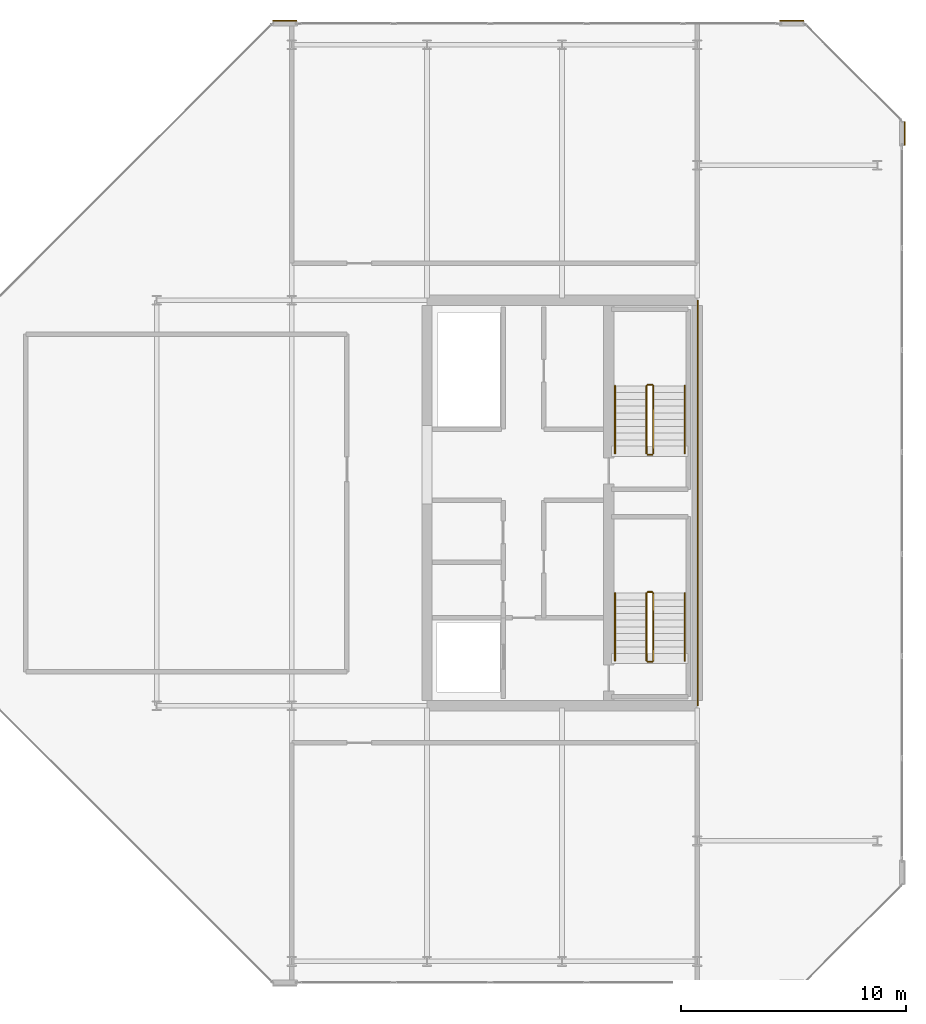
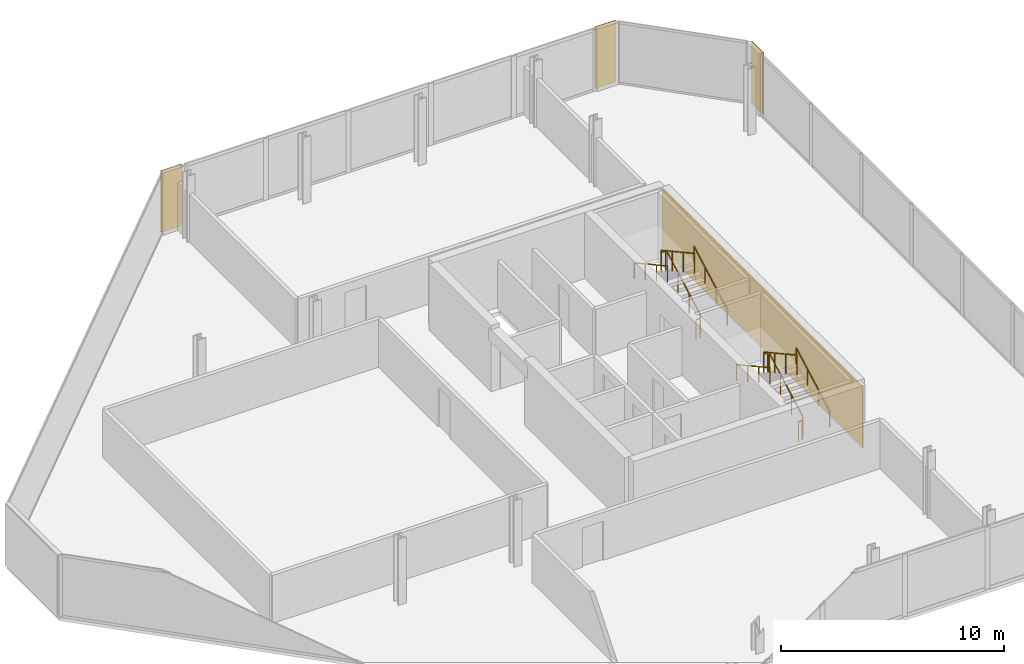
# One storey, part 16 of 16: 12 railings, 4 coverings.
"""IFC4 building model written with IfcOpenShell, lengths in metres."""

from ifc_helpers import new_model, si_unit, direction, frame, origin, origin_2d, place, context, subcontext, project, spatial, rectangle, extrude, material, layer, layer_set, type_object, element, save


model = new_model("IFC4")

# Units and contexts
model_context = context("Model", 3, precision=1e-05, world=origin(), true_north=direction((0.0, 1.0)))
body_context = subcontext(model_context, "Body", "Model", "MODEL_VIEW")
ifc_project = project(units=[si_unit("LENGTHUNIT", "METRE"), si_unit("AREAUNIT", "SQUARE_METRE"), si_unit("VOLUMEUNIT", "CUBIC_METRE"), si_unit("PLANEANGLEUNIT", "RADIAN"), si_unit("MASSUNIT", "GRAM", prefix="KILO")], contexts=[model_context])

# Site, building, storey
site_placement = place(None, origin())
site = spatial("IfcSite", under=ifc_project, at=site_placement, CompositionType="ELEMENT")
building_placement = place(site_placement, origin())
building = spatial("IfcBuilding", under=site, at=building_placement, Name="Tanjung Sevakor Pilgrim Tower", CompositionType="ELEMENT")
storey_placement = place(building_placement, frame((0.0, 0.0, 271.590087890625)))
storey = spatial("IfcBuildingStorey", under=building, at=storey_placement, Name="L76", CompositionType="ELEMENT", Elevation=271.590087890625)

# Coverings
ifc_material_1 = material(Name="Reconstructed Limestone Cladding", Category="masonry")
ifc_layer = layer(ifc_material_1, 0.044921875)
ifc_layer_set = layer_set([ifc_layer], Name="COV-CLAD-LIMESTONE")
covering_type = type_object("IfcCoveringType", Name="COV-CLAD-LIMESTONE", PredefinedType="CLADDING", material=ifc_layer_set)
for number, where, z_axis, x_axis, name in (
    (1, (99.222412109375, 50.00439453125, 0.019775390625), (0.0, 0.0, 1.0), (0.0, 1.0, 0.0), "L76 Warm Limestone Wall Cladding EW-CRN2-L76-EAST-2-1"),
    (2, (94.204345703125, 55.0224609375, 0.019775390625), (0.0, 0.0, 1.0), (-1.0, 0.0, 0.0), "L76 Warm Limestone Wall Cladding EW-CRN1-L76-EAST-4-1"),
    (3, (71.695556640625, 55.0224609375, 0.019775390625), (0.0, 0.0, 1.0), (-1.0, 0.0, 0.0), "L76 Warm Limestone Wall Cladding EW-CRN2-L76-EAST-4-1"),
):
    element("IfcCovering", number, at=place(storey_placement, frame(where, z_axis=z_axis, x_axis=x_axis)), inside=storey, type_object=covering_type, Name=name, PredefinedType="CLADDING", context=body_context, shape_type="SweptSolid", body=[
        extrude(rectangle(XDim=1.06005859375, YDim=0.044921875, at=origin_2d()), origin(), (0.0, 0.0, 1.0), 3.3701171875),
    ])
covering_placement = place(storey_placement, frame((90.0224609375, 33.60009765625, 0.019775390625), z_axis=(0.0, 0.0, 1.0), x_axis=(1.0, 0.0, 0.0)))
element("IfcCovering", 4, at=covering_placement, inside=storey, type_object=covering_type, Name="L76 Expressed Core Warm Limestone Cladding E", PredefinedType="CLADDING", context=body_context, shape_type="SweptSolid", body=[
    extrude(rectangle(XDim=0.044921875, YDim=18.0, at=origin_2d()), origin(), (0.0, 0.0, 1.0), 3.3701171875),
])

# Railings
ifc_material_2 = material(Name="Steel S355J2", Category="steel")
railing_type_1 = type_object("IfcRailingType", Name="RL-STAIR-GUARD", PredefinedType="GUARDRAIL", material=ifc_material_2)
railing_1_placement = place(storey_placement, frame((88.050048828125, 26.60009765625, 0.164794921875)))
element("IfcRailing", 5, at=railing_1_placement, inside=storey, type_object=railing_type_1, Name="L76 TS-E1 stair guard 1", PredefinedType="GUARDRAIL", context=body_context, shape_type="SweptSolid", body=[
    extrude(rectangle(XDim=0.0479, YDim=0.0479), frame((0.0, 0.0, 1.076171875), z_axis=(0.0, 0.876197842262, 0.481951596342), x_axis=(-1.0, 0.0, 0.0)), (0.0, 0.0, 1.0), 3.423828125),
    extrude(rectangle(XDim=0.042, YDim=0.042), origin(), (0.0, 0.0, 1.0), 1.052001953125),
    extrude(rectangle(XDim=0.042, YDim=0.042), frame((0.0, 1.0, 0.550048828125)), (0.0, 0.0, 1.0), 1.052001953125),
    extrude(rectangle(XDim=0.042, YDim=0.042), frame((0.0, 2.0, 1.10009765625)), (0.0, 0.0, 1.0), 1.052001953125),
    extrude(rectangle(XDim=0.042, YDim=0.042), frame((0.0, 3.0, 1.650146484375)), (0.0, 0.0, 1.0), 1.052001953125),
])
railing_2_placement = place(storey_placement, frame((88.0, 29.64990234375, 1.81494140625)))
element("IfcRailing", 6, at=railing_2_placement, inside=storey, type_object=railing_type_1, Name="L76 TS-E1 stair guard 2", PredefinedType="GUARDRAIL", context=body_context, shape_type="SweptSolid", body=[
    extrude(rectangle(XDim=0.0479, YDim=0.0479), frame((0.0, 0.0, 1.076171875), z_axis=(-1.0, 0.0, 0.0), x_axis=(0.0, -1.0, 0.0)), (0.0, 0.0, 1.0), 0.199951171875),
    extrude(rectangle(XDim=0.042, YDim=0.042), origin(), (0.0, 0.0, 1.0), 1.052001953125),
    extrude(rectangle(XDim=0.042, YDim=0.042), frame((-0.199951171875, 0.0, 0.0)), (0.0, 0.0, 1.0), 1.052001953125),
])
railing_3_placement = place(storey_placement, frame((87.75, 29.60009765625, 1.97998046875)))
element("IfcRailing", 7, at=railing_3_placement, inside=storey, type_object=railing_type_1, Name="L76 TS-E1 stair guard 3", PredefinedType="GUARDRAIL", context=body_context, shape_type="SweptSolid", body=[
    extrude(rectangle(XDim=0.0479, YDim=0.0479), frame((0.0, 0.0, 1.076171875), z_axis=(0.0, -0.876227952683, 0.48189685093), x_axis=(1.0, 0.0, 0.0)), (0.0, 0.0, 1.0), 3.423828125),
    extrude(rectangle(XDim=0.042, YDim=0.042), origin(), (0.0, 0.0, 1.0), 1.052001953125),
    extrude(rectangle(XDim=0.042, YDim=0.042), frame((0.0, -1.0, 0.550048828125)), (0.0, 0.0, 1.0), 1.052001953125),
    extrude(rectangle(XDim=0.042, YDim=0.042), frame((0.0, -2.0, 1.099853515625)), (0.0, 0.0, 1.0), 1.052001953125),
    extrude(rectangle(XDim=0.042, YDim=0.042), frame((0.0, -3.0, 1.64990234375)), (0.0, 0.0, 1.0), 1.052001953125),
])
railing_4_placement = place(storey_placement, frame((88.0, 26.550048828125, 0.0)))
element("IfcRailing", 8, at=railing_4_placement, inside=storey, type_object=railing_type_1, Name="L76 TS-E1 stair guard 4", PredefinedType="GUARDRAIL", context=body_context, shape_type="SweptSolid", body=[
    extrude(rectangle(XDim=0.0479, YDim=0.0479), frame((0.0, 0.0, 1.076171875), z_axis=(-1.0, 0.0, 0.0), x_axis=(0.0, -1.0, 0.0)), (0.0, 0.0, 1.0), 0.199951171875),
    extrude(rectangle(XDim=0.042, YDim=0.042), origin(), (0.0, 0.0, 1.0), 1.052001953125),
    extrude(rectangle(XDim=0.042, YDim=0.042), frame((-0.199951171875, 0.0, 0.0)), (0.0, 0.0, 1.0), 1.052001953125),
])
railing_5_placement = place(storey_placement, frame((88.050048828125, 35.800048828125, 0.164794921875)))
element("IfcRailing", 9, at=railing_5_placement, inside=storey, type_object=railing_type_1, Name="L76 TS-E2 stair guard 1", PredefinedType="GUARDRAIL", context=body_context, shape_type="SweptSolid", body=[
    extrude(rectangle(XDim=0.0479, YDim=0.0479), frame((0.0, 0.0, 1.076171875), z_axis=(0.0, 0.876197842262, 0.481951596342), x_axis=(-1.0, 0.0, 0.0)), (0.0, 0.0, 1.0), 3.423828125),
    extrude(rectangle(XDim=0.042, YDim=0.042), origin(), (0.0, 0.0, 1.0), 1.052001953125),
    extrude(rectangle(XDim=0.042, YDim=0.042), frame((0.0, 1.0, 0.550048828125)), (0.0, 0.0, 1.0), 1.052001953125),
    extrude(rectangle(XDim=0.042, YDim=0.042), frame((0.0, 2.0, 1.10009765625)), (0.0, 0.0, 1.0), 1.052001953125),
    extrude(rectangle(XDim=0.042, YDim=0.042), frame((0.0, 3.0, 1.650146484375)), (0.0, 0.0, 1.0), 1.052001953125),
])
railing_6_placement = place(storey_placement, frame((88.0, 38.85009765625, 1.81494140625)))
element("IfcRailing", 10, at=railing_6_placement, inside=storey, type_object=railing_type_1, Name="L76 TS-E2 stair guard 2", PredefinedType="GUARDRAIL", context=body_context, shape_type="SweptSolid", body=[
    extrude(rectangle(XDim=0.0479, YDim=0.0479), frame((0.0, 0.0, 1.076171875), z_axis=(-1.0, 0.0, 0.0), x_axis=(0.0, -1.0, 0.0)), (0.0, 0.0, 1.0), 0.199951171875),
    extrude(rectangle(XDim=0.042, YDim=0.042), origin(), (0.0, 0.0, 1.0), 1.052001953125),
    extrude(rectangle(XDim=0.042, YDim=0.042), frame((-0.199951171875, 0.0, 0.0)), (0.0, 0.0, 1.0), 1.052001953125),
])
railing_7_placement = place(storey_placement, frame((87.75, 38.800048828125, 1.97998046875)))
element("IfcRailing", 11, at=railing_7_placement, inside=storey, type_object=railing_type_1, Name="L76 TS-E2 stair guard 3", PredefinedType="GUARDRAIL", context=body_context, shape_type="SweptSolid", body=[
    extrude(rectangle(XDim=0.0479, YDim=0.0479), frame((0.0, 0.0, 1.076171875), z_axis=(0.0, -0.876227952683, 0.48189685093), x_axis=(1.0, 0.0, 0.0)), (0.0, 0.0, 1.0), 3.423828125),
    extrude(rectangle(XDim=0.042, YDim=0.042), origin(), (0.0, 0.0, 1.0), 1.052001953125),
    extrude(rectangle(XDim=0.042, YDim=0.042), frame((0.0, -1.0, 0.550048828125)), (0.0, 0.0, 1.0), 1.052001953125),
    extrude(rectangle(XDim=0.042, YDim=0.042), frame((0.0, -2.0, 1.099853515625)), (0.0, 0.0, 1.0), 1.052001953125),
    extrude(rectangle(XDim=0.042, YDim=0.042), frame((0.0, -3.0, 1.64990234375)), (0.0, 0.0, 1.0), 1.052001953125),
])
railing_8_placement = place(storey_placement, frame((88.0, 35.75, 0.0)))
element("IfcRailing", 12, at=railing_8_placement, inside=storey, type_object=railing_type_1, Name="L76 TS-E2 stair guard 4", PredefinedType="GUARDRAIL", context=body_context, shape_type="SweptSolid", body=[
    extrude(rectangle(XDim=0.0479, YDim=0.0479), frame((0.0, 0.0, 1.076171875), z_axis=(-1.0, 0.0, 0.0), x_axis=(0.0, -1.0, 0.0)), (0.0, 0.0, 1.0), 0.199951171875),
    extrude(rectangle(XDim=0.042, YDim=0.042), origin(), (0.0, 0.0, 1.0), 1.052001953125),
    extrude(rectangle(XDim=0.042, YDim=0.042), frame((-0.199951171875, 0.0, 0.0)), (0.0, 0.0, 1.0), 1.052001953125),
])
ifc_material_3 = material(Name="Steel S355J2", Category="steel")
railing_type_2 = type_object("IfcRailingType", Name="RL-STAIR-HAND", PredefinedType="HANDRAIL", material=ifc_material_3)
railing_9_placement = place(storey_placement, frame((89.449951171875, 26.60009765625, 0.164794921875)))
element("IfcRailing", 13, at=railing_9_placement, inside=storey, type_object=railing_type_2, Name="L76 TS-E1 stair handrail 1", PredefinedType="HANDRAIL", context=body_context, shape_type="SweptSolid", body=[
    extrude(rectangle(XDim=0.0479, YDim=0.0479), frame((0.0, 0.0, 0.8759765625), z_axis=(0.0, 0.876197842262, 0.481951596342), x_axis=(-1.0, 0.0, 0.0)), (0.0, 0.0, 1.0), 3.423828125),
    extrude(rectangle(XDim=0.042, YDim=0.042), origin(), (0.0, 0.0, 1.0), 0.851806640625),
    extrude(rectangle(XDim=0.042, YDim=0.042), frame((0.0, 1.0, 0.550048828125)), (0.0, 0.0, 1.0), 0.851806640625),
    extrude(rectangle(XDim=0.042, YDim=0.042), frame((0.0, 2.0, 1.10009765625)), (0.0, 0.0, 1.0), 0.851806640625),
    extrude(rectangle(XDim=0.042, YDim=0.042), frame((0.0, 3.0, 1.650146484375)), (0.0, 0.0, 1.0), 0.851806640625),
])
railing_10_placement = place(storey_placement, frame((86.35009765625, 29.60009765625, 1.97998046875)))
element("IfcRailing", 14, at=railing_10_placement, inside=storey, type_object=railing_type_2, Name="L76 TS-E1 stair handrail 2", PredefinedType="HANDRAIL", context=body_context, shape_type="SweptSolid", body=[
    extrude(rectangle(XDim=0.0479, YDim=0.0479), frame((0.0, 0.0, 0.8759765625), z_axis=(0.0, -0.876227952683, 0.48189685093), x_axis=(1.0, 0.0, 0.0)), (0.0, 0.0, 1.0), 3.423828125),
    extrude(rectangle(XDim=0.042, YDim=0.042), origin(), (0.0, 0.0, 1.0), 0.851806640625),
    extrude(rectangle(XDim=0.042, YDim=0.042), frame((0.0, -1.0, 0.550048828125)), (0.0, 0.0, 1.0), 0.851806640625),
    extrude(rectangle(XDim=0.042, YDim=0.042), frame((0.0, -2.0, 1.099853515625)), (0.0, 0.0, 1.0), 0.851806640625),
    extrude(rectangle(XDim=0.042, YDim=0.042), frame((0.0, -3.0, 1.64990234375)), (0.0, 0.0, 1.0), 0.851806640625),
])
railing_11_placement = place(storey_placement, frame((89.449951171875, 35.800048828125, 0.164794921875)))
element("IfcRailing", 15, at=railing_11_placement, inside=storey, type_object=railing_type_2, Name="L76 TS-E2 stair handrail 1", PredefinedType="HANDRAIL", context=body_context, shape_type="SweptSolid", body=[
    extrude(rectangle(XDim=0.0479, YDim=0.0479), frame((0.0, 0.0, 0.8759765625), z_axis=(0.0, 0.876197842262, 0.481951596342), x_axis=(-1.0, 0.0, 0.0)), (0.0, 0.0, 1.0), 3.423828125),
    extrude(rectangle(XDim=0.042, YDim=0.042), origin(), (0.0, 0.0, 1.0), 0.851806640625),
    extrude(rectangle(XDim=0.042, YDim=0.042), frame((0.0, 1.0, 0.550048828125)), (0.0, 0.0, 1.0), 0.851806640625),
    extrude(rectangle(XDim=0.042, YDim=0.042), frame((0.0, 2.0, 1.10009765625)), (0.0, 0.0, 1.0), 0.851806640625),
    extrude(rectangle(XDim=0.042, YDim=0.042), frame((0.0, 3.0, 1.650146484375)), (0.0, 0.0, 1.0), 0.851806640625),
])
railing_12_placement = place(storey_placement, frame((86.35009765625, 38.800048828125, 1.97998046875)))
element("IfcRailing", 16, at=railing_12_placement, inside=storey, type_object=railing_type_2, Name="L76 TS-E2 stair handrail 2", PredefinedType="HANDRAIL", context=body_context, shape_type="SweptSolid", body=[
    extrude(rectangle(XDim=0.0479, YDim=0.0479), frame((0.0, 0.0, 0.8759765625), z_axis=(0.0, -0.876227952683, 0.48189685093), x_axis=(1.0, 0.0, 0.0)), (0.0, 0.0, 1.0), 3.423828125),
    extrude(rectangle(XDim=0.042, YDim=0.042), origin(), (0.0, 0.0, 1.0), 0.851806640625),
    extrude(rectangle(XDim=0.042, YDim=0.042), frame((0.0, -1.0, 0.550048828125)), (0.0, 0.0, 1.0), 0.851806640625),
    extrude(rectangle(XDim=0.042, YDim=0.042), frame((0.0, -2.0, 1.099853515625)), (0.0, 0.0, 1.0), 0.851806640625),
    extrude(rectangle(XDim=0.042, YDim=0.042), frame((0.0, -3.0, 1.64990234375)), (0.0, 0.0, 1.0), 0.851806640625),
])

save(model, "model.ifc")
